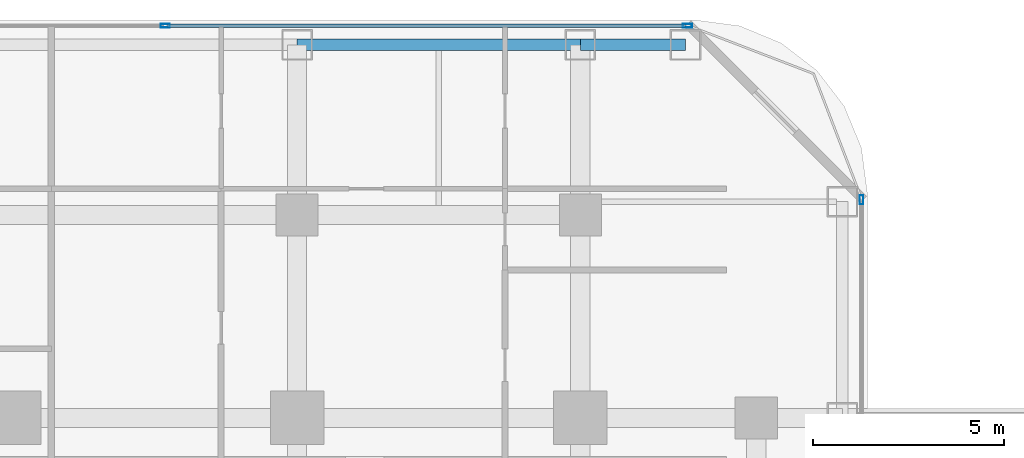
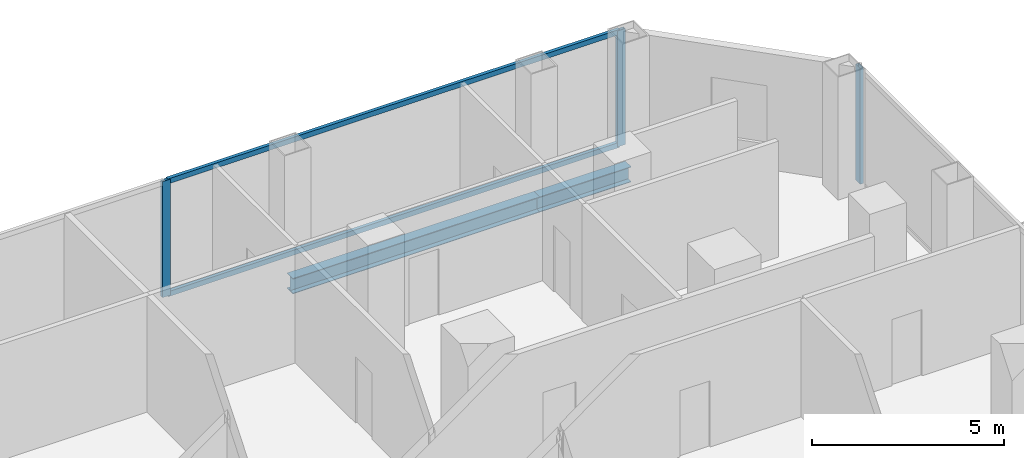
# One storey, part 17 of 29: 5 members, 2 beams, 2 elements without a shape of their own.
"""IFC4 building model written with IfcOpenShell, lengths in metres."""

from ifc_helpers import new_model, si_unit, direction, frame, origin, origin_2d, place, context, subcontext, project, spatial, hollow_rectangle, i_section, extrude, material, layer, layer_set, material_profile, profile_set, type_object, element, aggregate, save


model = new_model("IFC4")

# Units and contexts
model_context = context("Model", 3, precision=1e-05, world=origin(), true_north=direction((0.0, 1.0)))
body_context = subcontext(model_context, "Body", "Model", "MODEL_VIEW")
ifc_project = project(units=[si_unit("LENGTHUNIT", "METRE"), si_unit("AREAUNIT", "SQUARE_METRE"), si_unit("VOLUMEUNIT", "CUBIC_METRE"), si_unit("PLANEANGLEUNIT", "RADIAN"), si_unit("MASSUNIT", "GRAM", prefix="KILO")], contexts=[model_context])

# Site, building, storey
site_placement = place(None, origin())
site = spatial("IfcSite", under=ifc_project, at=site_placement, CompositionType="ELEMENT")
building_placement = place(site_placement, origin())
building = spatial("IfcBuilding", under=site, at=building_placement, Name="Khorvyn Point Tower", CompositionType="ELEMENT")
storey_placement = place(building_placement, frame((0.0, 0.0, 54.0)))
storey = spatial("IfcBuildingStorey", under=building, at=storey_placement, Name="L14", CompositionType="ELEMENT", Elevation=54.0)

# Curtain wall, members
ifc_material_1 = material(Name="Anodised aluminium 6063-T6 and laminated Low-E glass", Category="aluminium")
ifc_layer = layer(ifc_material_1, 0.18994140625)
ifc_layer_set = layer_set([ifc_layer], Name="Stick-Built Finned Residential Curtain Wall CW-SYS-02")
curtain_wall_type = type_object("IfcCurtainWallType", Name="Stick-Built Finned Residential Curtain Wall CW-SYS-02", PredefinedType="NOTDEFINED", material=ifc_layer_set)
curtain_wall_1_placement = place(storey_placement, origin())
curtain_wall_1 = element("IfcCurtainWall", 1, at=curtain_wall_1_placement, inside=storey, type_object=curtain_wall_type, Name="Curtain Wall", PredefinedType="NOTDEFINED")
ifc_material_2 = material(Name="Anodised aluminium 6063-T6", Category="aluminium")
ifc_material_profile_1 = material_profile(ifc_material_2, hollow_rectangle(XDim=0.10009765625, YDim=0.239990234375, WallThickness=0.0048828125, at=origin_2d()))
ifc_profile_set_1 = profile_set([ifc_material_profile_1], Name="Anodised aluminium 6063-T6 ALU-MUL-100x240")
member_type_1 = type_object("IfcMemberType", Name="Anodised Aluminium 6063-T6 Mullion ALU-MUL-100x240", PredefinedType="MULLION", material=ifc_profile_set_1)
member_1_placement = place(storey_placement, frame((3.949951171875, 25.050048828125, 0.0), z_axis=(0.0, 0.0, 1.0), x_axis=(0.0, 1.0, 0.0)))
member_1 = element("IfcMember", 2, at=member_1_placement, type_object=member_type_1, Name="Transom", PredefinedType="MULLION", context=body_context, shape_type="SweptSolid", body=[
    extrude(hollow_rectangle(XDim=0.10009765625, YDim=0.239990234375, WallThickness=0.0048828125, at=origin_2d()), origin(), (0.0, 0.0, 1.0), 3.679931640625),
])
member_2_placement = place(storey_placement, frame((17.60009765625, 25.050048828125, 0.0), z_axis=(0.0, 0.0, 1.0), x_axis=(0.0, 1.0, 0.0)))
member_2 = element("IfcMember", 3, at=member_2_placement, type_object=member_type_1, Name="Transom", PredefinedType="MULLION", context=body_context, shape_type="SweptSolid", body=[
    extrude(hollow_rectangle(XDim=0.10009765625, YDim=0.239990234375, WallThickness=0.0048828125, at=origin_2d()), origin(), (0.0, 0.0, 1.0), 3.679931640625),
])

# Curtain wall, member
curtain_wall_2_placement = place(storey_placement, origin())
curtain_wall_2 = element("IfcCurtainWall", 4, at=curtain_wall_2_placement, inside=storey, type_object=curtain_wall_type, Name="Curtain Wall", PredefinedType="NOTDEFINED")
member_3_placement = place(storey_placement, frame((22.14990234375, 20.5, 0.0), z_axis=(0.0, 0.0, 1.0), x_axis=(1.0, 0.0, 0.0)))
member_3 = element("IfcMember", 5, at=member_3_placement, type_object=member_type_1, Name="Transom", PredefinedType="MULLION", context=body_context, shape_type="SweptSolid", body=[
    extrude(hollow_rectangle(XDim=0.10009765625, YDim=0.239990234375, WallThickness=0.0048828125, at=origin_2d()), origin(), (0.0, 0.0, 1.0), 3.679931640625),
])
aggregate(curtain_wall_2, [member_3])

# Member
ifc_material_profile_2 = material_profile(ifc_material_2, hollow_rectangle(XDim=0.10009765625, YDim=0.159912109375, WallThickness=0.00439453125, at=origin_2d()))
ifc_profile_set_2 = profile_set([ifc_material_profile_2], Name="Anodised aluminium 6063-T6 ALU-TRN-100x160")
member_type_2 = type_object("IfcMemberType", Name="Anodised Aluminium 6063-T6 Transom ALU-TRN-100x160", PredefinedType="USERDEFINED", material=ifc_profile_set_2)
member_4_placement = place(storey_placement, frame((4.0, 25.050048828125, 0.050048828125), z_axis=(1.0, 0.0, 0.0), x_axis=(0.0, 1.0, 0.0)))
member_4 = element("IfcMember", 6, at=member_4_placement, type_object=member_type_2, Name="Transom", ObjectType="TRANSOM", PredefinedType="USERDEFINED", context=body_context, shape_type="SweptSolid", body=[
    extrude(hollow_rectangle(XDim=0.10009765625, YDim=0.159912109375, WallThickness=0.00439453125, at=origin_2d()), origin(), (0.0, 0.0, 1.0), 13.550048828125),
])

member_5_placement = place(storey_placement, frame((4.0, 25.050048828125, 3.6298828125), z_axis=(1.0, 0.0, 0.0), x_axis=(0.0, 1.0, 0.0)))
member_5 = element("IfcMember", 7, at=member_5_placement, type_object=member_type_2, Name="Transom", ObjectType="TRANSOM", PredefinedType="USERDEFINED", context=body_context, shape_type="SweptSolid", body=[
    extrude(hollow_rectangle(XDim=0.10009765625, YDim=0.159912109375, WallThickness=0.00439453125, at=origin_2d()), origin(), (0.0, 0.0, 1.0), 13.550048828125),
])

aggregate(curtain_wall_1, [member_1, member_2, member_4, member_5])

# Beams
ifc_material_3 = material(Name="Steel S355", Category="steel")
ifc_material_profile_3 = material_profile(ifc_material_3, i_section(OverallWidth=0.300048828125, OverallDepth=0.488037109375, WebThickness=0.010986328125, FlangeThickness=0.01806640625, at=origin_2d()))
ifc_profile_set_3 = profile_set([ifc_material_profile_3], Name="Steel S355 H488x300x11x18")
beam_type = type_object("IfcBeamType", Name="Steel S355 Spandrel H488x300x11x18", PredefinedType="SPANDREL", material=ifc_profile_set_3)
beam_1_placement = place(storey_placement, frame((7.39990234375, 24.550048828125, -0.52392578125), z_axis=(1.0, 0.0, 0.0), x_axis=(0.0, 1.0, 0.0)))
element("IfcBeam", 8, at=beam_1_placement, inside=storey, type_object=beam_type, Name="Beam", PredefinedType="SPANDREL", context=body_context, shape_type="SweptSolid", body=[
    extrude(i_section(OverallWidth=0.300048828125, OverallDepth=0.488037109375, WebThickness=0.010986328125, FlangeThickness=0.01806640625, at=origin_2d()), origin(), (0.0, 0.0, 1.0), 7.400146484375),
])
beam_2_placement = place(storey_placement, frame((14.800048828125, 24.550048828125, -0.52392578125), z_axis=(1.0, 0.0, 0.0), x_axis=(0.0, 1.0, 0.0)))
element("IfcBeam", 9, at=beam_2_placement, inside=storey, type_object=beam_type, Name="Beam", PredefinedType="SPANDREL", context=body_context, shape_type="SweptSolid", body=[
    extrude(i_section(OverallWidth=0.300048828125, OverallDepth=0.488037109375, WebThickness=0.010986328125, FlangeThickness=0.01806640625, at=origin_2d()), origin(), (0.0, 0.0, 1.0), 2.75),
])

save(model, "model.ifc")
